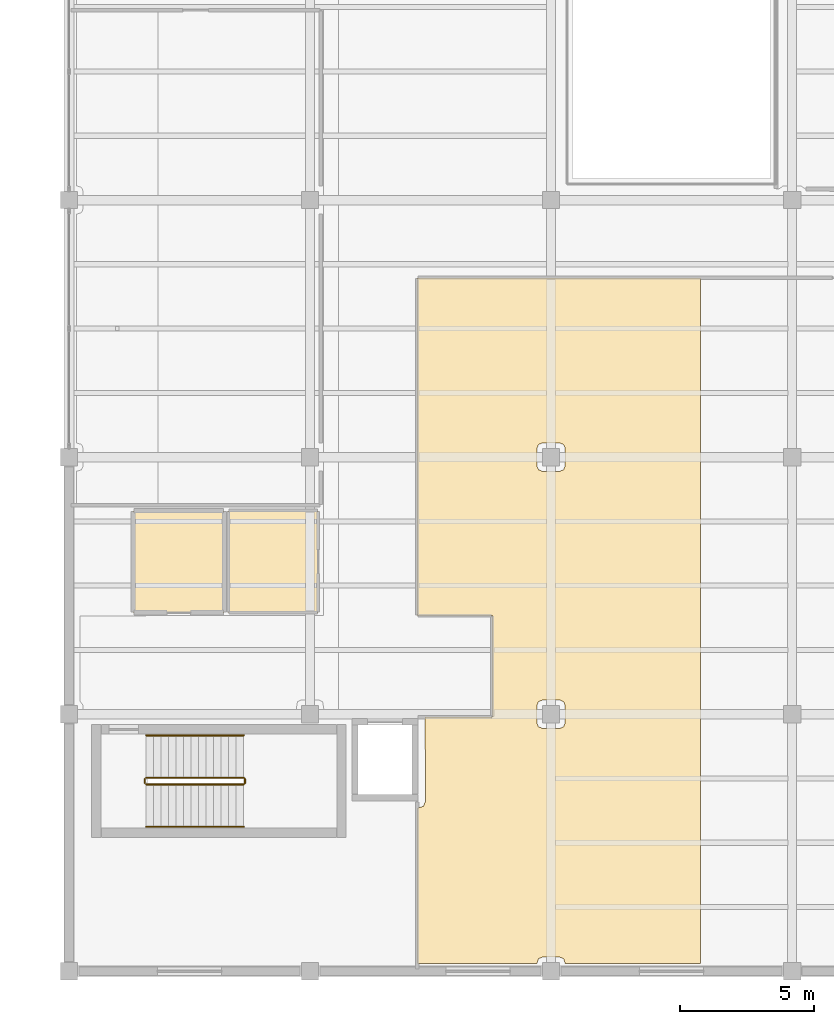
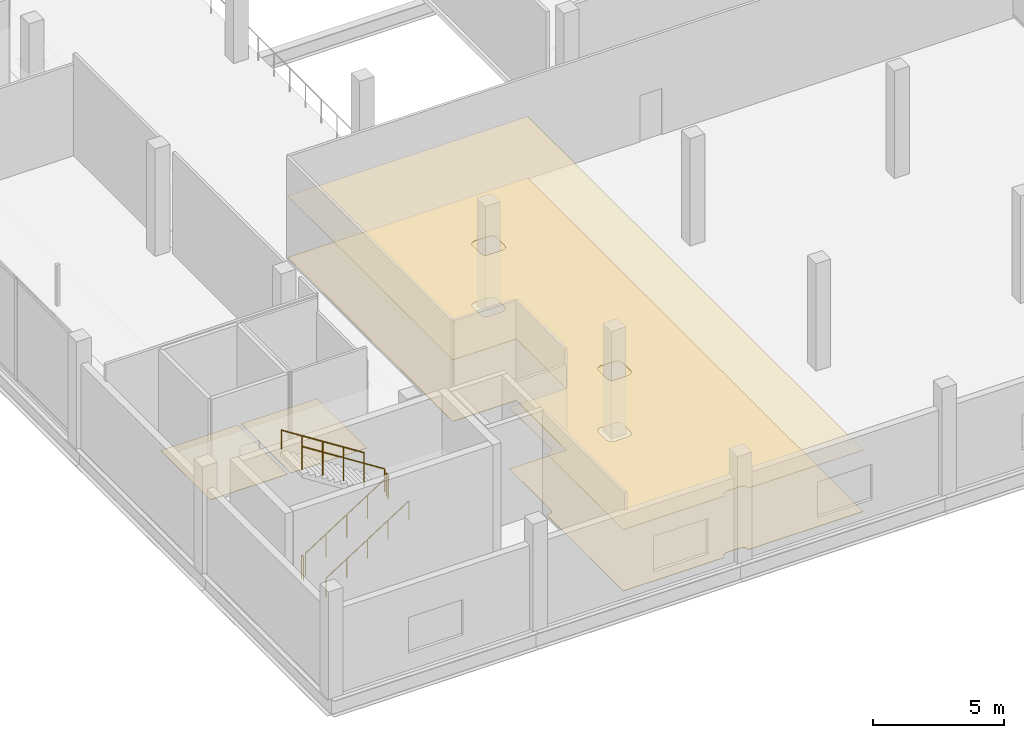
# One storey, part 44 of 46: 6 railings, 4 coverings.
"""IFC4 building model written with IfcOpenShell, lengths in metres."""

from ifc_helpers import new_model, si_unit, direction, frame, origin, origin_2d, place, context, subcontext, project, spatial, polyline, circle, outline, extrude, material, layer, layer_set, type_object, element, save


model = new_model("IFC4")

# Units and contexts
model_context = context("Model", 3, precision=1e-05, world=origin(), true_north=direction((0.0, 1.0)))
body_context = subcontext(model_context, "Body", "Model", "MODEL_VIEW")
ifc_project = project(units=[si_unit("LENGTHUNIT", "METRE"), si_unit("AREAUNIT", "SQUARE_METRE"), si_unit("VOLUMEUNIT", "CUBIC_METRE"), si_unit("PLANEANGLEUNIT", "RADIAN"), si_unit("MASSUNIT", "GRAM", prefix="KILO")], contexts=[model_context])

# Site, building, storey
site_placement = place(None, origin())
site = spatial("IfcSite", under=ifc_project, at=site_placement, CompositionType="ELEMENT")
building_placement = place(site_placement, origin())
building = spatial("IfcBuilding", under=site, at=building_placement, Name="Qorvath Tower", CompositionType="ELEMENT")
storey_placement = place(building_placement, frame((0.0, 0.0, 17.0)))
storey = spatial("IfcBuildingStorey", under=building, at=storey_placement, Name="L03", CompositionType="ELEMENT", Elevation=17.0)

# Coverings
ifc_material_1 = material(Name="Acoustic mineral fibre ceiling tile", Category="gypsum")
ifc_layer_1 = layer(ifc_material_1, 0.030029296875)
ifc_layer_set_1 = layer_set([ifc_layer_1], Name="COV-CEIL")
covering_type_1 = type_object("IfcCoveringType", Name="COV-CEIL", PredefinedType="CEILING", material=ifc_layer_set_1)
covering_1_placement = place(storey_placement, frame((0.0, 0.0, 2.85009765625)))
element("IfcCovering", 1, at=covering_1_placement, inside=storey, type_object=covering_type_1, Name="L03 Suspended Acoustic Ceiling 007", PredefinedType="CEILING", context=body_context, shape_type="SweptSolid", body=[
    extrude(outline(polyline([(55.97509765625, -38.114990234375), (55.97509765625, -12.51025390625), (45.4130859375, -12.512939453125), (45.4130859375, -25.10693359375), (48.21142578125, -25.1083984375), (48.212890625, -28.907958984375), (45.69873046875, -28.9130859375), (45.7099609375, -32.06005859375), (45.63671875, -32.23681640625), (45.405029296875, -32.31005859375), (45.405029296875, -38.114990234375), (49.871337890625, -38.114990234375), (49.9287109375, -37.93212890625), (50.072998046875, -37.870361328125), (50.72509765625, -37.8701171875), (50.87109375, -37.93212890625), (50.9287109375, -38.114990234375), (55.97509765625, -38.114990234375)]), holes=[polyline([(50.87109375, -28.331787109375), (50.929931640625, -28.47509765625), (50.929931640625, -29.125), (50.868408203125, -29.27099609375), (50.72509765625, -29.330078125), (50.074951171875, -29.330078125), (49.928955078125, -29.268310546875), (49.8701171875, -29.125), (49.8701171875, -28.47509765625), (49.931640625, -28.328857421875), (50.074951171875, -28.27001953125), (50.72509765625, -28.27001953125), (50.87109375, -28.331787109375)]), polyline([(50.87109375, -18.731689453125), (50.929931640625, -18.875), (50.929931640625, -19.52490234375), (50.868408203125, -19.671142578125), (50.72509765625, -19.72998046875), (50.074951171875, -19.72998046875), (49.928955078125, -19.668212890625), (49.8701171875, -19.52490234375), (49.8701171875, -18.875), (49.931640625, -18.72900390625), (50.074951171875, -18.669921875), (50.72509765625, -18.669921875), (50.87109375, -18.731689453125)])]), origin(), (0.0, 0.0, 1.0), 0.030029296875),
])
ifc_material_2 = material(Name="Low-VOC modular carpet tile", Category="textile")
ifc_layer_2 = layer(ifc_material_2, 0.014892578125)
ifc_layer_set_2 = layer_set([ifc_layer_2], Name="COV-FLOOR-CPT")
covering_type_2 = type_object("IfcCoveringType", Name="COV-FLOOR-CPT", PredefinedType="FLOORING", material=ifc_layer_set_2)
covering_2_placement = place(storey_placement, origin())
element("IfcCovering", 2, at=covering_2_placement, inside=storey, type_object=covering_type_2, Name="L03 Floor Finish 004", PredefinedType="FLOORING", context=body_context, shape_type="SweptSolid", body=[
    extrude(outline(polyline([(38.195068359375, -21.205078125), (34.804931640625, -21.205078125), (34.804931640625, -24.9951171875), (38.195068359375, -24.9951171875), (38.195068359375, -21.205078125)])), origin(), (0.0, 0.0, 1.0), 0.014892578125),
])
covering_3_placement = place(storey_placement, origin())
element("IfcCovering", 3, at=covering_3_placement, inside=storey, type_object=covering_type_2, Name="L03 Floor Finish 007", PredefinedType="FLOORING", context=body_context, shape_type="SweptSolid", body=[
    extrude(outline(polyline([(55.97509765625, -38.114990234375), (55.97509765625, -12.51025390625), (45.4130859375, -12.512939453125), (45.4130859375, -25.10693359375), (48.21142578125, -25.1083984375), (48.212890625, -28.907958984375), (45.69873046875, -28.9130859375), (45.7099609375, -32.06005859375), (45.63671875, -32.23681640625), (45.405029296875, -32.31005859375), (45.405029296875, -38.114990234375), (49.871337890625, -38.114990234375), (49.9287109375, -37.93212890625), (50.072998046875, -37.870361328125), (50.72509765625, -37.8701171875), (50.87109375, -37.93212890625), (50.9287109375, -38.114990234375), (55.97509765625, -38.114990234375)]), holes=[polyline([(50.87109375, -28.331787109375), (50.929931640625, -28.47509765625), (50.929931640625, -29.125), (50.868408203125, -29.27099609375), (50.72509765625, -29.330078125), (50.074951171875, -29.330078125), (49.928955078125, -29.268310546875), (49.8701171875, -29.125), (49.8701171875, -28.47509765625), (49.931640625, -28.328857421875), (50.074951171875, -28.27001953125), (50.72509765625, -28.27001953125), (50.87109375, -28.331787109375)]), polyline([(50.87109375, -18.731689453125), (50.929931640625, -18.875), (50.929931640625, -19.52490234375), (50.868408203125, -19.671142578125), (50.72509765625, -19.72998046875), (50.074951171875, -19.72998046875), (49.928955078125, -19.668212890625), (49.8701171875, -19.52490234375), (49.8701171875, -18.875), (49.931640625, -18.72900390625), (50.074951171875, -18.669921875), (50.72509765625, -18.669921875), (50.87109375, -18.731689453125)])]), origin(), (0.0, 0.0, 1.0), 0.014892578125),
])
ifc_material_3 = material(Name="Polished epoxy terrazzo flooring", Category="concrete")
ifc_layer_3 = layer(ifc_material_3, 0.02001953125)
ifc_layer_set_3 = layer_set([ifc_layer_3], Name="COV-FLOOR-TRZ")
covering_type_3 = type_object("IfcCoveringType", Name="COV-FLOOR-TRZ", PredefinedType="FLOORING", material=ifc_layer_set_3)
covering_4_placement = place(storey_placement, origin())
element("IfcCovering", 4, at=covering_4_placement, inside=storey, type_object=covering_type_3, Name="L03 Floor Finish 003", PredefinedType="FLOORING", context=body_context, shape_type="SweptSolid", body=[
    extrude(outline(polyline([(41.695068359375, -21.205078125), (38.35498046875, -21.205078125), (38.35498046875, -24.9951171875), (41.695068359375, -24.9951171875), (41.695068359375, -21.205078125)])), origin(), (0.0, 0.0, 1.0), 0.014892578125),
])

# Railings
ifc_material_4 = material(Name="Painted galvanised steel", Category="steel")
railing_type_1 = type_object("IfcRailingType", Name="RL-STR-GRD", PredefinedType="GUARDRAIL", material=ifc_material_4)
railing_1_placement = place(storey_placement, frame((35.280029296875, -31.419921875, 0.178466796875)))
element("IfcRailing", 5, at=railing_1_placement, inside=storey, type_object=railing_type_1, Name="L03 LS2 stair guard 1", PredefinedType="GUARDRAIL", context=body_context, shape_type="SweptSolid", body=[
    extrude(circle(Radius=0.02392578125, at=origin_2d()), frame((0.0, 0.0, 1.076171875), z_axis=(0.843111507901, 0.0, 0.53773877045), x_axis=(0.0, 1.0, 0.0)), (0.0, 0.0, 1.0), 4.317138671875),
    extrude(circle(Radius=0.02099609375, at=origin_2d()), origin(), (0.0, 0.0, 1.0), 1.052001953125),
    extrude(circle(Radius=0.02099609375, at=origin_2d()), frame((0.909912109375, 0.0, 0.580322265625)), (0.0, 0.0, 1.0), 1.052001953125),
    extrude(circle(Radius=0.02099609375, at=origin_2d()), frame((1.81982421875, 0.0, 1.16064453125)), (0.0, 0.0, 1.0), 1.052001953125),
    extrude(circle(Radius=0.02099609375, at=origin_2d()), frame((2.72998046875, 0.0, 1.7412109375)), (0.0, 0.0, 1.0), 1.052001953125),
    extrude(circle(Radius=0.02099609375, at=origin_2d()), frame((3.639892578125, 0.0, 2.321533203125)), (0.0, 0.0, 1.0), 1.052001953125),
])
railing_2_placement = place(storey_placement, frame((38.969970703125, -31.3701171875, 2.5)))
element("IfcRailing", 6, at=railing_2_placement, inside=storey, type_object=railing_type_1, Name="L03 LS2 stair guard 2", PredefinedType="GUARDRAIL", context=body_context, shape_type="SweptSolid", body=[
    extrude(circle(Radius=0.02392578125, at=origin_2d()), frame((0.0, 0.0, 1.076171875), z_axis=(0.0, 1.0, 0.0), x_axis=(-1.0, 0.0, 0.0)), (0.0, 0.0, 1.0), 0.150146484375),
    extrude(circle(Radius=0.02099609375, at=origin_2d()), origin(), (0.0, 0.0, 1.0), 1.052001953125),
    extrude(circle(Radius=0.02099609375, at=origin_2d()), frame((0.0, 0.150146484375, 0.0)), (0.0, 0.0, 1.0), 1.052001953125),
])
railing_3_placement = place(storey_placement, frame((38.919921875, -31.169921875, 2.678466796875)))
element("IfcRailing", 7, at=railing_3_placement, inside=storey, type_object=railing_type_1, Name="L03 LS2 stair guard 3", PredefinedType="GUARDRAIL", context=body_context, shape_type="SweptSolid", body=[
    extrude(circle(Radius=0.02392578125, at=origin_2d()), frame((0.0, 0.0, 1.076171875), z_axis=(-0.843111507901, 0.0, 0.53773877045), x_axis=(0.0, -1.0, 0.0)), (0.0, 0.0, 1.0), 4.317138671875),
    extrude(circle(Radius=0.02099609375, at=origin_2d()), origin(), (0.0, 0.0, 1.0), 1.052001953125),
    extrude(circle(Radius=0.02099609375, at=origin_2d()), frame((-0.909912109375, 0.0, 0.580322265625)), (0.0, 0.0, 1.0), 1.052001953125),
    extrude(circle(Radius=0.02099609375, at=origin_2d()), frame((-1.81982421875, 0.0, 1.16064453125)), (0.0, 0.0, 1.0), 1.052001953125),
    extrude(circle(Radius=0.02099609375, at=origin_2d()), frame((-2.72998046875, 0.0, 1.7412109375)), (0.0, 0.0, 1.0), 1.052001953125),
    extrude(circle(Radius=0.02099609375, at=origin_2d()), frame((-3.639892578125, 0.0, 2.321533203125)), (0.0, 0.0, 1.0), 1.052001953125),
])
railing_4_placement = place(storey_placement, frame((35.22998046875, -31.3701171875, 0.0)))
element("IfcRailing", 8, at=railing_4_placement, inside=storey, type_object=railing_type_1, Name="L03 LS2 stair guard 4", PredefinedType="GUARDRAIL", context=body_context, shape_type="SweptSolid", body=[
    extrude(circle(Radius=0.02392578125, at=origin_2d()), frame((0.0, 0.0, 1.076171875), z_axis=(0.0, 1.0, 0.0), x_axis=(-1.0, 0.0, 0.0)), (0.0, 0.0, 1.0), 0.150146484375),
    extrude(circle(Radius=0.02099609375, at=origin_2d()), origin(), (0.0, 0.0, 1.0), 1.052001953125),
    extrude(circle(Radius=0.02099609375, at=origin_2d()), frame((0.0, 0.150146484375, 0.0)), (0.0, 0.0, 1.0), 1.052001953125),
])
ifc_material_5 = material(Name="Brushed stainless steel AISI 304", Category="steel")
railing_type_2 = type_object("IfcRailingType", Name="RL-STR-HND", PredefinedType="HANDRAIL", material=ifc_material_5)
railing_5_placement = place(storey_placement, frame((35.280029296875, -33.0, 0.178466796875)))
element("IfcRailing", 9, at=railing_5_placement, inside=storey, type_object=railing_type_2, Name="L03 LS2 stair handrail 1", PredefinedType="HANDRAIL", context=body_context, shape_type="SweptSolid", body=[
    extrude(circle(Radius=0.02392578125, at=origin_2d()), frame((0.0, 0.0, 0.8759765625), z_axis=(0.843111507901, 0.0, 0.53773877045), x_axis=(0.0, 1.0, 0.0)), (0.0, 0.0, 1.0), 4.317138671875),
    extrude(circle(Radius=0.02099609375, at=origin_2d()), origin(), (0.0, 0.0, 1.0), 0.851806640625),
    extrude(circle(Radius=0.02099609375, at=origin_2d()), frame((0.909912109375, 0.0, 0.580322265625)), (0.0, 0.0, 1.0), 0.851806640625),
    extrude(circle(Radius=0.02099609375, at=origin_2d()), frame((1.81982421875, 0.0, 1.16064453125)), (0.0, 0.0, 1.0), 0.851806640625),
    extrude(circle(Radius=0.02099609375, at=origin_2d()), frame((2.72998046875, 0.0, 1.7412109375)), (0.0, 0.0, 1.0), 0.851806640625),
    extrude(circle(Radius=0.02099609375, at=origin_2d()), frame((3.639892578125, 0.0, 2.321533203125)), (0.0, 0.0, 1.0), 0.851806640625),
])
railing_6_placement = place(storey_placement, frame((38.919921875, -29.590087890625, 2.678466796875)))
element("IfcRailing", 10, at=railing_6_placement, inside=storey, type_object=railing_type_2, Name="L03 LS2 stair handrail 2", PredefinedType="HANDRAIL", context=body_context, shape_type="SweptSolid", body=[
    extrude(circle(Radius=0.02392578125, at=origin_2d()), frame((0.0, 0.0, 0.8759765625), z_axis=(-0.843111507901, 0.0, 0.53773877045), x_axis=(0.0, -1.0, 0.0)), (0.0, 0.0, 1.0), 4.317138671875),
    extrude(circle(Radius=0.02099609375, at=origin_2d()), origin(), (0.0, 0.0, 1.0), 0.851806640625),
    extrude(circle(Radius=0.02099609375, at=origin_2d()), frame((-0.909912109375, 0.0, 0.580322265625)), (0.0, 0.0, 1.0), 0.851806640625),
    extrude(circle(Radius=0.02099609375, at=origin_2d()), frame((-1.81982421875, 0.0, 1.16064453125)), (0.0, 0.0, 1.0), 0.851806640625),
    extrude(circle(Radius=0.02099609375, at=origin_2d()), frame((-2.72998046875, 0.0, 1.7412109375)), (0.0, 0.0, 1.0), 0.851806640625),
    extrude(circle(Radius=0.02099609375, at=origin_2d()), frame((-3.639892578125, 0.0, 2.321533203125)), (0.0, 0.0, 1.0), 0.851806640625),
])

save(model, "model.ifc")
